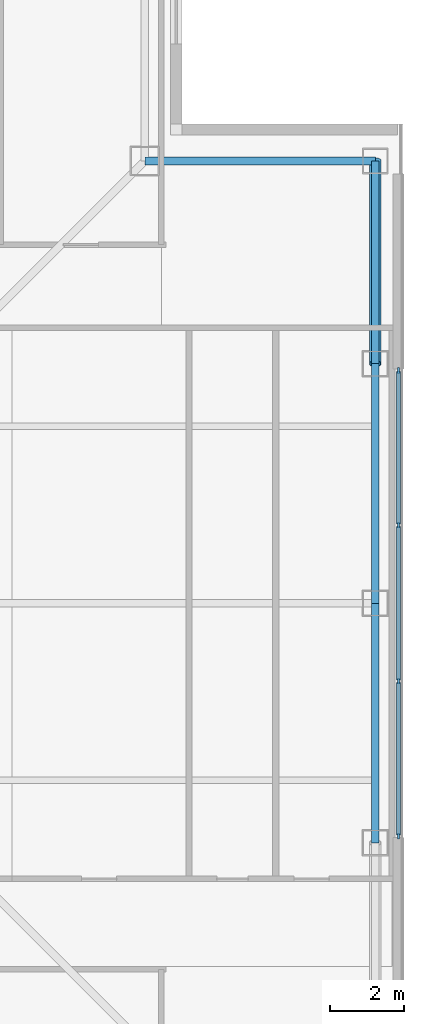
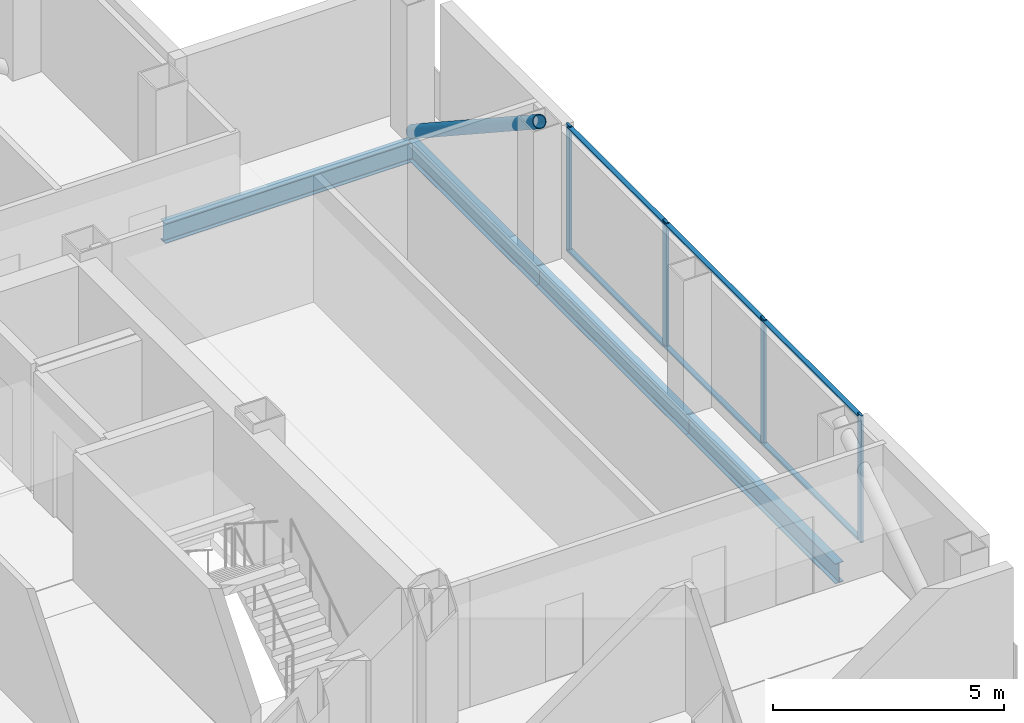
# One storey, part 6 of 16: 11 members, 4 beams, 1 element without a shape of its own.
"""IFC4 building model written with IfcOpenShell, lengths in metres."""

from ifc_helpers import new_model, si_unit, direction, frame, origin, origin_2d, place, context, subcontext, project, spatial, rectangle, hollow_circle, i_section, extrude, material, layer, layer_set, material_profile, profile_set, type_object, element, aggregate, save


model = new_model("IFC4")

# Units and contexts
model_context = context("Model", 3, precision=1e-05, world=origin(), true_north=direction((0.0, 1.0)))
body_context = subcontext(model_context, "Body", "Model", "MODEL_VIEW")
ifc_project = project(units=[si_unit("LENGTHUNIT", "METRE"), si_unit("AREAUNIT", "SQUARE_METRE"), si_unit("VOLUMEUNIT", "CUBIC_METRE"), si_unit("PLANEANGLEUNIT", "RADIAN"), si_unit("MASSUNIT", "GRAM", prefix="KILO")], contexts=[model_context])

# Site, building, storey
site_placement = place(None, origin())
site = spatial("IfcSite", under=ifc_project, at=site_placement, CompositionType="ELEMENT")
building_placement = place(site_placement, origin())
building = spatial("IfcBuilding", under=site, at=building_placement, Name="Trevonay Congress Spire", CompositionType="ELEMENT")
storey_placement = place(building_placement, frame((0.0, 0.0, 268.39990234375)))
storey = spatial("IfcBuildingStorey", under=building, at=storey_placement, Name="L70", CompositionType="ELEMENT", Elevation=268.39990234375)

# Beams
ifc_material_1 = material(Name="Steel ASTM A572 Grade 50", Category="steel")
ifc_material_profile_1 = material_profile(ifc_material_1, i_section(OverallWidth=0.208984375, OverallDepth=0.532958984375, WebThickness=0.01025390625, FlangeThickness=0.015625, FilletRadius=0.014892578125, at=origin_2d()), Name="W530x92")
ifc_profile_set_1 = profile_set([ifc_material_profile_1], Name="Steel ASTM A572 Grade 50")
beam_type = type_object("IfcBeamType", Name="BM-RING-W530X92", PredefinedType="BEAM", material=ifc_profile_set_1)
for number, where, z_axis, x_axis, name in (
    (1, (18.25, -6.5, -0.50634765625), (0.0, 1.0, 0.0), (-1.0, 0.0, 0.0), "L70 structural beam BM-L70-PE2"),
    (2, (18.25, 0.0, -0.50634765625), (0.0, 1.0, 0.0), (-1.0, 0.0, 0.0), "L70 structural beam BM-L70-PE3"),
):
    element("IfcBeam", number, at=place(storey_placement, frame(where, z_axis=z_axis, x_axis=x_axis)), inside=storey, type_object=beam_type, Name=name, PredefinedType="BEAM", context=body_context, shape_type="SweptSolid", body=[
        extrude(i_section(OverallWidth=0.208984375, OverallDepth=0.532958984375, WebThickness=0.01025390625, FlangeThickness=0.015625, FilletRadius=0.014892578125, at=origin_2d()), origin(), (0.0, 0.0, 1.0), 6.5),
    ])
beam_1_placement = place(storey_placement, frame((18.25, 6.5, -0.50634765625), z_axis=(0.0, 1.0, 0.0), x_axis=(-1.0, 0.0, 0.0)))
element("IfcBeam", 3, at=beam_1_placement, inside=storey, type_object=beam_type, Name="L70 structural beam BM-L70-PE4", PredefinedType="BEAM", context=body_context, shape_type="SweptSolid", body=[
    extrude(i_section(OverallWidth=0.208984375, OverallDepth=0.532958984375, WebThickness=0.01025390625, FlangeThickness=0.015625, FilletRadius=0.014892578125, at=origin_2d()), origin(), (0.0, 0.0, 1.0), 5.5),
])
beam_2_placement = place(storey_placement, frame((18.25, 12.0, -0.50634765625), z_axis=(-1.0, 0.0, 0.0), x_axis=(0.0, -1.0, 0.0)))
element("IfcBeam", 4, at=beam_2_placement, inside=storey, type_object=beam_type, Name="L70 structural beam BM-L70-N2NE", PredefinedType="BEAM", context=body_context, shape_type="SweptSolid", body=[
    extrude(i_section(OverallWidth=0.208984375, OverallDepth=0.532958984375, WebThickness=0.01025390625, FlangeThickness=0.015625, FilletRadius=0.014892578125, at=origin_2d()), origin(), (0.0, 0.0, 1.0), 6.25),
])

# Curtain wall, members
ifc_material_2 = material(Name="Pale Anodised Aluminium EN AW-6063-T6", Category="aluminium")
ifc_layer = layer(ifc_material_2, 0.1650390625, Name="Pale Anodised Aluminium EN AW-6063-T6")
ifc_layer_set = layer_set([ifc_layer], Name="Pale Anodised Aluminium EN AW-6063-T6")
curtain_wall_type = type_object("IfcCurtainWallType", Name="CW-SYS05-DIPLOM-PALE-METAL", PredefinedType="NOTDEFINED", material=ifc_layer_set)
curtain_wall_placement = place(storey_placement, origin())
curtain_wall = element("IfcCurtainWall", 5, at=curtain_wall_placement, inside=storey, type_object=curtain_wall_type, Name="L70 E unitised curtain wall", PredefinedType="NOTDEFINED")
ifc_material_profile_2 = material_profile(ifc_material_2, rectangle(XDim=0.06005859375, YDim=0.159912109375, at=origin_2d()), Name="CW-MULLION-160-ALUMINIUM")
ifc_profile_set_2 = profile_set([ifc_material_profile_2], Name="Pale Anodised Aluminium EN AW-6063-T6")
member_type_1 = type_object("IfcMemberType", Name="CW-MULLION-160-ALUMINIUM", PredefinedType="MULLION", material=ifc_profile_set_2)
member_1_placement = place(storey_placement, frame((18.8798828125, -6.320068359375, 0.0), z_axis=(0.0, 0.0, 1.0), x_axis=(-1.0, 0.0, 0.0)))
member_1 = element("IfcMember", 6, at=member_1_placement, type_object=member_type_1, Name="CW05 mullion 1", PredefinedType="MULLION", context=body_context, shape_type="SweptSolid", body=[
    extrude(rectangle(XDim=0.06005859375, YDim=0.159912109375, at=origin_2d()), origin(), (0.0, 0.0, 1.0), 3.360107421875),
])
member_2_placement = place(storey_placement, frame((18.8798828125, -2.11669921875, 0.0), z_axis=(0.0, 0.0, 1.0), x_axis=(-1.0, 0.0, 0.0)))
member_2 = element("IfcMember", 7, at=member_2_placement, type_object=member_type_1, Name="CW05 mullion 2", PredefinedType="MULLION", context=body_context, shape_type="SweptSolid", body=[
    extrude(rectangle(XDim=0.06005859375, YDim=0.159912109375, at=origin_2d()), origin(), (0.0, 0.0, 1.0), 3.360107421875),
])
member_3_placement = place(storey_placement, frame((18.8798828125, 2.11669921875, 0.0), z_axis=(0.0, 0.0, 1.0), x_axis=(-1.0, 0.0, 0.0)))
member_3 = element("IfcMember", 8, at=member_3_placement, type_object=member_type_1, Name="CW05 mullion 3", PredefinedType="MULLION", context=body_context, shape_type="SweptSolid", body=[
    extrude(rectangle(XDim=0.06005859375, YDim=0.159912109375, at=origin_2d()), origin(), (0.0, 0.0, 1.0), 3.360107421875),
])
member_4_placement = place(storey_placement, frame((18.8798828125, 6.320068359375, 0.0), z_axis=(0.0, 0.0, 1.0), x_axis=(-1.0, 0.0, 0.0)))
member_4 = element("IfcMember", 9, at=member_4_placement, type_object=member_type_1, Name="CW05 mullion 4", PredefinedType="MULLION", context=body_context, shape_type="SweptSolid", body=[
    extrude(rectangle(XDim=0.06005859375, YDim=0.159912109375, at=origin_2d()), origin(), (0.0, 0.0, 1.0), 3.360107421875),
])
ifc_material_profile_3 = material_profile(ifc_material_2, rectangle(XDim=0.1201171875, YDim=0.06005859375, at=origin_2d()), Name="CW-TRANSOM-120-ALUMINIUM")
ifc_profile_set_3 = profile_set([ifc_material_profile_3], Name="Pale Anodised Aluminium EN AW-6063-T6")
member_type_2 = type_object("IfcMemberType", Name="CW-TRANSOM-120-ALUMINIUM", PredefinedType="USERDEFINED", material=ifc_profile_set_3)
member_5_placement = place(storey_placement, frame((18.8798828125, -6.2900390625, 0.06005859375), z_axis=(0.0, 1.0, 0.0), x_axis=(-1.0, 0.0, 0.0)))
member_5 = element("IfcMember", 10, at=member_5_placement, type_object=member_type_2, Name="CW05 transom 1.1", ObjectType="TRANSOM", PredefinedType="USERDEFINED", context=body_context, shape_type="SweptSolid", body=[
    extrude(rectangle(XDim=0.1201171875, YDim=0.06005859375, at=origin_2d()), origin(), (0.0, 0.0, 1.0), 4.143310546875),
])
member_6_placement = place(storey_placement, frame((18.8798828125, -6.2900390625, 3.300048828125), z_axis=(0.0, 1.0, 0.0), x_axis=(-1.0, 0.0, 0.0)))
member_6 = element("IfcMember", 11, at=member_6_placement, type_object=member_type_2, Name="CW05 transom 1.2", ObjectType="TRANSOM", PredefinedType="USERDEFINED", context=body_context, shape_type="SweptSolid", body=[
    extrude(rectangle(XDim=0.1201171875, YDim=0.06005859375, at=origin_2d()), origin(), (0.0, 0.0, 1.0), 4.143310546875),
])
member_7_placement = place(storey_placement, frame((18.8798828125, -2.086669921875, 0.06005859375), z_axis=(0.0, 1.0, 0.0), x_axis=(-1.0, 0.0, 0.0)))
member_7 = element("IfcMember", 12, at=member_7_placement, type_object=member_type_2, Name="CW05 transom 2.1", ObjectType="TRANSOM", PredefinedType="USERDEFINED", context=body_context, shape_type="SweptSolid", body=[
    extrude(rectangle(XDim=0.1201171875, YDim=0.06005859375, at=origin_2d()), origin(), (0.0, 0.0, 1.0), 4.17333984375),
])
member_8_placement = place(storey_placement, frame((18.8798828125, -2.086669921875, 3.300048828125), z_axis=(0.0, 1.0, 0.0), x_axis=(-1.0, 0.0, 0.0)))
member_8 = element("IfcMember", 13, at=member_8_placement, type_object=member_type_2, Name="CW05 transom 2.2", ObjectType="TRANSOM", PredefinedType="USERDEFINED", context=body_context, shape_type="SweptSolid", body=[
    extrude(rectangle(XDim=0.1201171875, YDim=0.06005859375, at=origin_2d()), origin(), (0.0, 0.0, 1.0), 4.17333984375),
])
member_9_placement = place(storey_placement, frame((18.8798828125, 2.146728515625, 0.06005859375), z_axis=(0.0, 1.0, 0.0), x_axis=(-1.0, 0.0, 0.0)))
member_9 = element("IfcMember", 14, at=member_9_placement, type_object=member_type_2, Name="CW05 transom 3.1", ObjectType="TRANSOM", PredefinedType="USERDEFINED", context=body_context, shape_type="SweptSolid", body=[
    extrude(rectangle(XDim=0.1201171875, YDim=0.06005859375, at=origin_2d()), origin(), (0.0, 0.0, 1.0), 4.143310546875),
])
member_10_placement = place(storey_placement, frame((18.8798828125, 2.146728515625, 3.300048828125), z_axis=(0.0, 1.0, 0.0), x_axis=(-1.0, 0.0, 0.0)))
member_10 = element("IfcMember", 15, at=member_10_placement, type_object=member_type_2, Name="CW05 transom 3.2", ObjectType="TRANSOM", PredefinedType="USERDEFINED", context=body_context, shape_type="SweptSolid", body=[
    extrude(rectangle(XDim=0.1201171875, YDim=0.06005859375, at=origin_2d()), origin(), (0.0, 0.0, 1.0), 4.143310546875),
])
aggregate(curtain_wall, [member_1, member_2, member_3, member_4, member_5, member_6, member_7, member_8, member_9, member_10])

# Member
ifc_material_3 = material(Name="Steel ASTM A500 Grade C", Category="steel")
ifc_material_profile_4 = material_profile(ifc_material_3, hollow_circle(Radius=0.161865234375, WallThickness=0.01611328125, at=origin_2d()), Name="CHS 323.9x16")
ifc_profile_set_4 = profile_set([ifc_material_profile_4], Name="Steel ASTM A500 Grade C")
member_type_3 = type_object("IfcMemberType", Name="MBR-TUBE-CHS324", PredefinedType="BRACE", material=ifc_profile_set_4)
member_11_placement = place(storey_placement, frame((18.25, 12.0, -0.0498046875), z_axis=(0.0, -0.836711728151, 0.547643573845), x_axis=(1.0, 0.0, 0.0)))
element("IfcMember", 16, at=member_11_placement, inside=storey, type_object=member_type_3, Name="L70 perimeter braced-tube diagonal E3", PredefinedType="BRACE", context=body_context, shape_type="SweptSolid", body=[
    extrude(hollow_circle(Radius=0.161865234375, WallThickness=0.01611328125, at=origin_2d()), origin(), (0.0, 0.0, 1.0), 6.5732421875),
])

save(model, "model.ifc")
